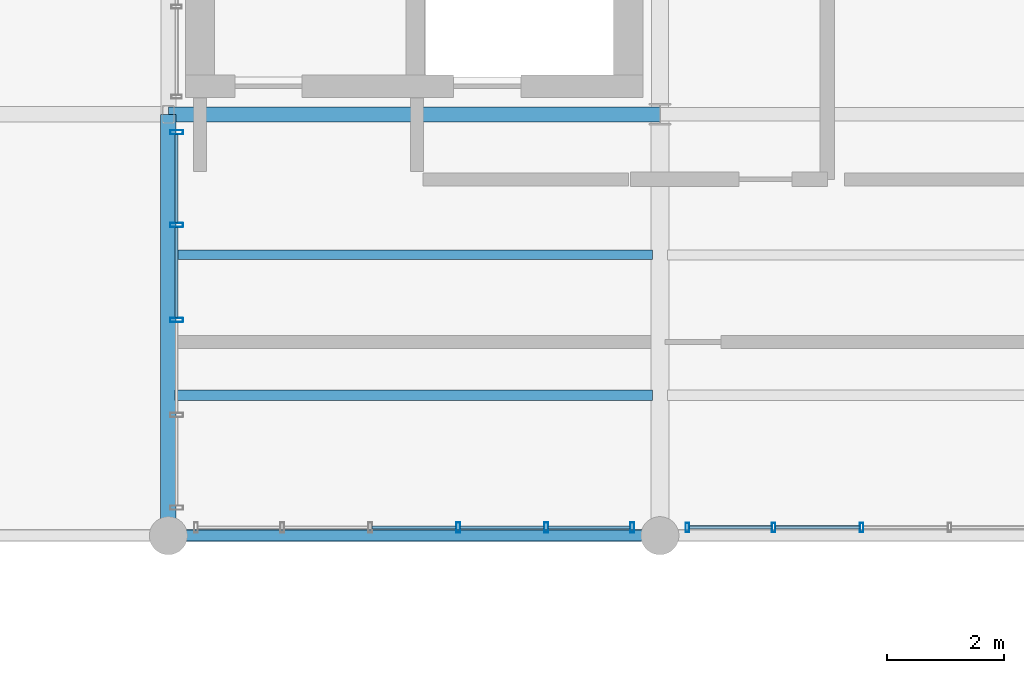
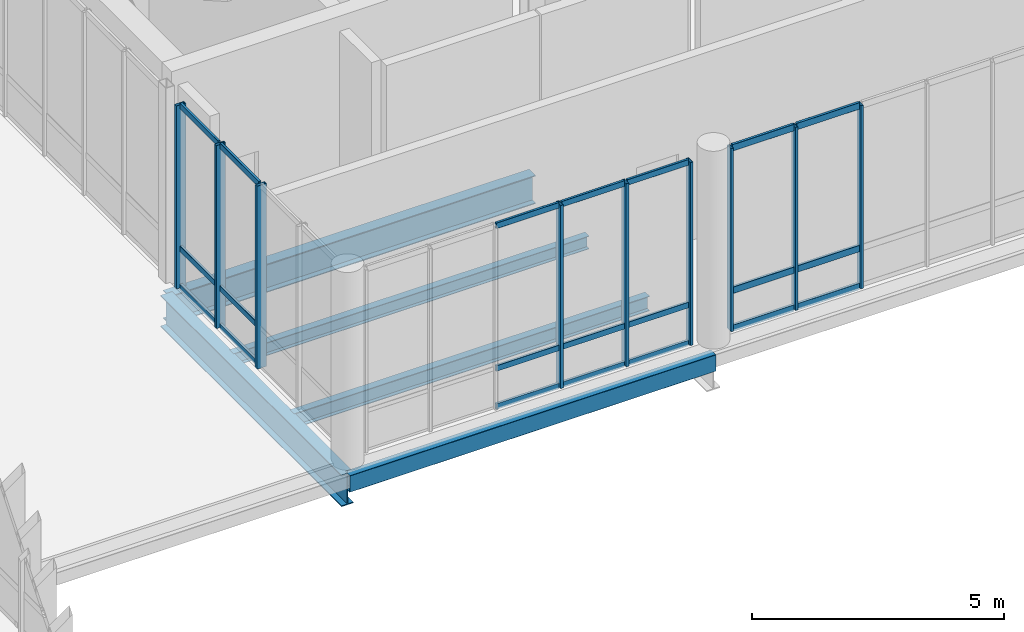
# One storey, part 22 of 81: 30 members, 5 beams, 3 elements without a shape of their own.
"""IFC4 building model written with IfcOpenShell, lengths in metres."""

import ifcopenshell
import ifcopenshell.guid

model = None  # the IFC model being written
_history = None  # IfcOwnerHistory: only IFC2X3 demands one
_inside = {}  # id of a spatial element -> (the spatial element, [elements in it])
_under = {}  # id of a project, library or spatial element -> (it, [spatial elements below it])
_declared = {}  # id of a project -> (the project, [libraries it declares])
_typed = {}  # id of a type object -> (the type object, [elements of that type])
_made_of = {}  # id of a material, layer set ... -> (it, [elements and type objects made of it])


def new_model(schema):
    """Start an empty IFC model of exactly this schema.

    Asked for "IFC4X3", IfcOpenShell would pick the latest addendum, in which some entities
    have other attributes; the version numbers below select the first issue.
    IFC2X3 requires an IfcOwnerHistory on every rooted entity: one is made here for all.
    """
    global model, _history
    if schema == "IFC4X3":
        model = ifcopenshell.file(schema_version=(4, 3, 0, 0))
    else:
        model = ifcopenshell.file(schema=schema)
    _inside.clear()
    _under.clear()
    _declared.clear()
    _typed.clear()
    _made_of.clear()
    _history = None
    if model.schema == "IFC2X3":
        org = make("IfcOrganization", Name="unknown")
        user = make(
            "IfcPersonAndOrganization",
            ThePerson=make("IfcPerson", FamilyName="unknown"),
            TheOrganization=org,
        )
        app = make(
            "IfcApplication",
            ApplicationDeveloper=org,
            Version="unknown",
            ApplicationFullName="unknown",
            ApplicationIdentifier="unknown",
        )
        _history = make(
            "IfcOwnerHistory",
            OwningUser=user,
            OwningApplication=app,
            ChangeAction="ADDED",
            CreationDate=0,
        )
    return model


def make(cls, **values):
    """One entity of the class cls with the attributes given. An attribute that is None is left unset."""
    return model.create_entity(
        cls, **{name: value for name, value in values.items() if value is not None}
    )


def rooted(cls, **values):
    """An entity with a GlobalId (a new one), such as an element, a storey or a relation."""
    return make(cls, GlobalId=ifcopenshell.guid.new(), OwnerHistory=_history, **values)


def si_unit(unit_type, name, prefix=None):
    """IfcSIUnit, for example si_unit("LENGTHUNIT", "METRE", prefix="MILLI")."""
    return make("IfcSIUnit", UnitType=unit_type, Prefix=prefix, Name=name)


def assignment(units):
    """IfcUnitAssignment: the units of a project."""
    return None if units is None else make("IfcUnitAssignment", Units=units)


def point(xyz):
    """IfcCartesianPoint."""
    return None if xyz is None else make("IfcCartesianPoint", Coordinates=xyz)


def direction(xyz):
    """IfcDirection."""
    return None if xyz is None else make("IfcDirection", DirectionRatios=xyz)


def frame(location, z_axis=None, x_axis=None):
    """IfcAxis2Placement3D, a coordinate frame: its origin and axes. An axis left out is left unset."""
    return make(
        "IfcAxis2Placement3D",
        Location=point(location),
        Axis=direction(z_axis),
        RefDirection=direction(x_axis),
    )


def frame_2d(location, x_axis=None):
    """IfcAxis2Placement2D, a coordinate frame in the plane: its origin and x axis."""
    return make(
        "IfcAxis2Placement2D", Location=point(location), RefDirection=direction(x_axis)
    )


def origin_with_axes():
    """The frame at (0, 0, 0) with the z axis (0, 0, 1) and the x axis (1, 0, 0) written out."""
    return frame((0.0, 0.0, 0.0), z_axis=(0.0, 0.0, 1.0), x_axis=(1.0, 0.0, 0.0))


def origin_2d_with_axis():
    """The frame at (0, 0) in the plane with the x axis (1, 0) written out."""
    return frame_2d((0.0, 0.0), x_axis=(1.0, 0.0))


def place(relative_to, where):
    """IfcLocalPlacement: puts the frame where relative to a parent placement (None: the world)."""
    return make(
        "IfcLocalPlacement", PlacementRelTo=relative_to, RelativePlacement=where
    )


def context(
    kind, dimensions, precision=None, world=None, true_north=None, identifier=None
):
    """IfcGeometricRepresentationContext, for example the 3D "Model" context."""
    return make(
        "IfcGeometricRepresentationContext",
        ContextIdentifier=identifier,
        ContextType=kind,
        CoordinateSpaceDimension=dimensions,
        Precision=precision,
        WorldCoordinateSystem=world,
        TrueNorth=true_north,
    )


def subcontext(parent, identifier, kind, view, scale=None):
    """IfcGeometricRepresentationSubContext, for example "Body" below "Model"."""
    return make(
        "IfcGeometricRepresentationSubContext",
        ContextIdentifier=identifier,
        ContextType=kind,
        ParentContext=parent,
        TargetScale=scale,
        TargetView=view,
    )


def project(units=None, contexts=None):
    """IfcProject with its units and contexts."""
    return rooted(
        "IfcProject",
        Name="project",
        RepresentationContexts=contexts,
        UnitsInContext=assignment(units),
    )


def spatial(cls, under=None, at=None, **own):
    """A site, building, storey or space (cls), placed at a placement, below another one or the project."""
    s = rooted(cls, ObjectPlacement=at, **own)
    if under is not None:
        _under.setdefault(under.id(), (under, []))[1].append(s)
    return s


def profile(cls, at=None, kind="AREA", **sizes):
    """A parametric profile (cls). Its sizes go by their IFC names, for example OverallWidth=200.0."""
    return make(cls, ProfileType=kind, Position=at, **sizes)


def hollow_rectangle(**sizes):
    """IfcRectangleHollowProfileDef."""
    return profile("IfcRectangleHollowProfileDef", **sizes)


def i_section(**sizes):
    """IfcIShapeProfileDef."""
    return profile("IfcIShapeProfileDef", **sizes)


def extrude(swept, where, along, depth):
    """IfcExtrudedAreaSolid: the profile swept, set in the frame where, extruded along a direction by depth."""
    return make(
        "IfcExtrudedAreaSolid",
        SweptArea=swept,
        Position=where,
        ExtrudedDirection=direction(along),
        Depth=depth,
    )


def shape(context_of_items, identifier, shape_type, items):
    """IfcShapeRepresentation: the items that make up one representation, for example the "Body"."""
    return make(
        "IfcShapeRepresentation",
        ContextOfItems=context_of_items,
        RepresentationIdentifier=identifier,
        RepresentationType=shape_type,
        Items=items,
    )


def material(Name=None, Category=None):
    """IfcMaterial."""
    return make("IfcMaterial", Name=Name, Category=Category)


def material_profile(
    of_material, cross_section, Name=None, Category=None, Priority=None
):
    """IfcMaterialProfile: a cross section and its material."""
    return make(
        "IfcMaterialProfile",
        Name=Name,
        Material=of_material,
        Profile=cross_section,
        Priority=Priority,
        Category=Category,
    )


def profile_set(profiles, Name=None, composite=None):
    """IfcMaterialProfileSet."""
    return make(
        "IfcMaterialProfileSet",
        Name=Name,
        MaterialProfiles=profiles,
        CompositeProfile=composite,
    )


def made_of(thing, what):
    """Note that an element or type object is made of a material, layer set ...; save() writes the relation."""
    if what is not None:
        _made_of.setdefault(what.id(), (what, []))[1].append(thing)
    return thing


def type_object(cls, material=None, **own):
    """A type object (cls), such as IfcWallType, which elements share."""
    return made_of(rooted(cls, **own), material)


def element(
    cls,
    number,
    at=None,
    inside=None,
    cuts=None,
    type_object=None,
    material=None,
    context=None,
    identifier="Body",
    shape_type=None,
    held_by="IfcProductDefinitionShape",
    body=None,
    shapes=None,
    **own,
):
    """One element of the class cls, such as IfcWall. Its Tag is "e" and its number.

    at: its placement. inside: the storey or other place that contains it. cuts: it is an
    opening in that element (IfcRelVoidsElement). A single representation is given by context,
    identifier, shape_type and body (its items); several are given by shapes. held_by: the class
    of the entity that holds the representations. save() writes the other relations.
    """
    e = rooted(cls, Tag="e%d" % number, ObjectPlacement=at, **own)
    if body is not None:
        shapes = [shape(context, identifier, shape_type, body)]
    if shapes is not None:
        e.Representation = make(held_by, Representations=shapes)
    if inside is not None:
        _inside.setdefault(inside.id(), (inside, []))[1].append(e)
    if cuts is not None:
        rooted(
            "IfcRelVoidsElement", RelatingBuildingElement=cuts, RelatedOpeningElement=e
        )
    if type_object is not None:
        _typed.setdefault(type_object.id(), (type_object, []))[1].append(e)
    return made_of(e, material)


def aggregate(whole, parts):
    """IfcRelAggregates: a whole, such as a stair, and the parts it consists of."""
    return rooted("IfcRelAggregates", RelatingObject=whole, RelatedObjects=parts)


def save(model, path):
    """Write the relations noted so far, then the file.

    IfcRelAggregates (storeys below a building ...), IfcRelContainedInSpatialStructure (elements
    in a storey), IfcRelDefinesByType, IfcRelAssociatesMaterial and IfcRelDeclares: one each for
    every whole, place, type object, material and project.
    """
    for whole, parts in _under.values():
        aggregate(whole, parts)
    for where, things in _inside.values():
        rooted(
            "IfcRelContainedInSpatialStructure",
            RelatedElements=things,
            RelatingStructure=where,
        )
    for kind, things in _typed.values():
        rooted("IfcRelDefinesByType", RelatedObjects=things, RelatingType=kind)
    for what, things in _made_of.values():
        rooted("IfcRelAssociatesMaterial", RelatedObjects=things, RelatingMaterial=what)
    for by, libraries in _declared.values():
        rooted("IfcRelDeclares", RelatingContext=by, RelatedDefinitions=libraries)
    model.write(path)


model = new_model("IFC4")

# Units and contexts
model_context = context("Model", 3, precision=1e-05, world=origin_with_axes(), true_north=direction((0.0, 1.0)))
body_context = subcontext(model_context, "Body", "Model", "MODEL_VIEW")
ifc_project = project(units=[si_unit("LENGTHUNIT", "METRE"), si_unit("AREAUNIT", "SQUARE_METRE"), si_unit("VOLUMEUNIT", "CUBIC_METRE"), si_unit("PLANEANGLEUNIT", "RADIAN"), si_unit("MASSUNIT", "GRAM", prefix="KILO"), si_unit("THERMODYNAMICTEMPERATUREUNIT", "KELVIN")], contexts=[model_context])

# Site, building, storey
site_placement = place(None, origin_with_axes())
site = spatial("IfcSite", under=ifc_project, at=site_placement, CompositionType="ELEMENT")
building_placement = place(site_placement, origin_with_axes())
building = spatial("IfcBuilding", under=site, at=building_placement, Name="Montbau Bow Law Courts", CompositionType="ELEMENT")
storey_placement = place(building_placement, frame((0.0, 0.0, 24.9), z_axis=(0.0, 0.0, 1.0), x_axis=(1.0, 0.0, 0.0)))
storey = spatial("IfcBuildingStorey", under=building, at=storey_placement, Name="L05", CompositionType="ELEMENT", Elevation=24.9)

# Beams
ifc_material_1 = material(Name="Steel CSA G40.21 Grade 350W (350 MPa)", Category="steel")
ifc_material_profile_1 = material_profile(ifc_material_1, i_section(OverallWidth=0.267, OverallDepth=0.766, WebThickness=0.0149, FlangeThickness=0.0236, at=origin_2d_with_axis()), Name="W760X185", Category="Main", Priority=0)
ifc_profile_set_1 = profile_set([ifc_material_profile_1], Name="Steel CSA G40.21 Grade 350W (350 MPa)")
beam_type_1 = type_object("IfcBeamType", Name="B-FLR-03", PredefinedType="BEAM", material=ifc_profile_set_1)
beam_1_placement = place(None, frame((55.2, 39.0, 24.217), z_axis=(0.0, 1.0, 0.0), x_axis=(-1.0, 0.0, 0.0)))
element("IfcBeam", 1, at=beam_1_placement, inside=storey, type_object=beam_type_1, Name="BM-L05-S0980:bm2_0983", PredefinedType="BEAM", context=body_context, shape_type="SweptSolid", body=[
    extrude(i_section(OverallWidth=0.267, OverallDepth=0.766, WebThickness=0.0149, FlangeThickness=0.0236, at=origin_2d_with_axis()), origin_with_axes(), (0.0, 0.0, 1.0), 7.2),
])
ifc_material_profile_2 = material_profile(ifc_material_1, i_section(OverallWidth=0.254, OverallDepth=0.688, WebThickness=0.0131, FlangeThickness=0.0211, at=origin_2d_with_axis()), Name="W690X152", Category="Main", Priority=0)
ifc_profile_set_2 = profile_set([ifc_material_profile_2], Name="Steel CSA G40.21 Grade 350W (350 MPa)")
beam_type_2 = type_object("IfcBeamType", Name="B-FLR-04", PredefinedType="BEAM", material=ifc_profile_set_2)
beam_2_placement = place(None, frame((55.2, 46.2, 24.256), z_axis=(1.0, 0.0, 0.0), x_axis=(0.0, 1.0, 0.0)))
element("IfcBeam", 2, at=beam_2_placement, inside=storey, type_object=beam_type_2, Name="BM-L05-S0963:bm2_0966", PredefinedType="BEAM", context=body_context, shape_type="SweptSolid", body=[
    extrude(i_section(OverallWidth=0.254, OverallDepth=0.688, WebThickness=0.0131, FlangeThickness=0.0211, at=origin_2d_with_axis()), origin_with_axes(), (0.0, 0.0, 1.0), 8.4),
])
ifc_material_profile_3 = material_profile(ifc_material_1, i_section(OverallWidth=0.172, OverallDepth=0.358, WebThickness=0.0079, FlangeThickness=0.0131, at=origin_2d_with_axis()), Name="W360X57", Category="Main", Priority=0)
ifc_profile_set_3 = profile_set([ifc_material_profile_3], Name="Steel CSA G40.21 Grade 350W (350 MPa)")
beam_type_3 = type_object("IfcBeamType", Name="B-JST-03", PredefinedType="JOIST", material=ifc_profile_set_3)
beam_3_placement = place(None, frame((55.309, 41.4, 24.421), z_axis=(1.0, 0.0, 0.0), x_axis=(0.0, 1.0, 0.0)))
element("IfcBeam", 3, at=beam_3_placement, inside=storey, type_object=beam_type_3, Name="JST-L05-S0494:jst2_0494", PredefinedType="JOIST", context=body_context, shape_type="SweptSolid", body=[
    extrude(i_section(OverallWidth=0.172, OverallDepth=0.358, WebThickness=0.0079, FlangeThickness=0.0131, at=origin_2d_with_axis()), origin_with_axes(), (0.0, 0.0, 1.0), 8.162),
])
ifc_material_profile_4 = material_profile(ifc_material_1, i_section(OverallWidth=0.166, OverallDepth=0.313, WebThickness=0.0066, FlangeThickness=0.0112, at=origin_2d_with_axis()), Name="W310X45", Category="Main", Priority=0)
ifc_profile_set_4 = profile_set([ifc_material_profile_4], Name="Steel CSA G40.21 Grade 350W (350 MPa)")
beam_type_4 = type_object("IfcBeamType", Name="B-JST-04", PredefinedType="JOIST", material=ifc_profile_set_4)
beam_4_placement = place(None, frame((55.309, 43.8, 24.444), z_axis=(1.0, 0.0, 0.0), x_axis=(0.0, 1.0, 0.0)))
element("IfcBeam", 4, at=beam_4_placement, inside=storey, type_object=beam_type_4, Name="JST-L05-S0495:jst2_0495", PredefinedType="JOIST", context=body_context, shape_type="SweptSolid", body=[
    extrude(i_section(OverallWidth=0.166, OverallDepth=0.313, WebThickness=0.0066, FlangeThickness=0.0112, at=origin_2d_with_axis()), origin_with_axes(), (0.0, 0.0, 1.0), 8.162),
])
ifc_material_2 = material(Name="Steel CSA G40.21 Grade 350WT (350 MPa)", Category="steel")
ifc_material_profile_5 = material_profile(ifc_material_2, hollow_rectangle(XDim=0.203, YDim=0.406, WallThickness=0.0127, InnerFilletRadius=0.0254, OuterFilletRadius=0.0127, at=origin_2d_with_axis()), Name="HSS406X203X13", Category="Main", Priority=0)
ifc_profile_set_5 = profile_set([ifc_material_profile_5], Name="Steel CSA G40.21 Grade 350WT (350 MPa)")
beam_type_5 = type_object("IfcBeamType", Name="B-SPN-01", PredefinedType="SPANDREL", material=ifc_profile_set_5)
beam_5_placement = place(None, frame((55.2, 39.0, 24.397), z_axis=(1.0, 0.0, 0.0), x_axis=(0.0, 1.0, 0.0)))
element("IfcBeam", 5, at=beam_5_placement, inside=storey, type_object=beam_type_5, Name="SPN-L05-S0957:bm2_0960", PredefinedType="SPANDREL", context=body_context, shape_type="SweptSolid", body=[
    extrude(hollow_rectangle(XDim=0.203, YDim=0.406, WallThickness=0.0127, InnerFilletRadius=0.0254, OuterFilletRadius=0.0127, at=origin_2d_with_axis()), origin_with_axes(), (0.0, 0.0, 1.0), 8.4),
])

# Curtain wall, members
ifc_material_3 = material(Name="Thermally Broken Extruded Aluminium AA 6063-T6", Category="aluminium")
curtain_wall_type = type_object("IfcCurtainWallType", Name="CW-NCK-02", PredefinedType="NOTDEFINED", material=ifc_material_3)
curtain_wall_1_placement = place(None, frame((55.34, 39.44, 24.9), z_axis=(0.0, 0.0, 1.0), x_axis=(1.0, 0.0, 0.0)))
curtain_wall_1 = element("IfcCurtainWall", 6, at=curtain_wall_1_placement, inside=storey, type_object=curtain_wall_type, Name="CW-L05-219:cw_0219", PredefinedType="NOTDEFINED")
ifc_material_profile_6 = material_profile(ifc_material_3, hollow_rectangle(XDim=0.075, YDim=0.22, WallThickness=0.005, InnerFilletRadius=0.01, OuterFilletRadius=0.005, at=origin_2d_with_axis()), Name="CWM-220X75", Category="Main", Priority=0)
ifc_profile_set_6 = profile_set([ifc_material_profile_6], Name="Thermally Broken Extruded Aluminium AA 6063-T6")
member_type_1 = type_object("IfcMemberType", Name="M-MUL-01", PredefinedType="MULLION", material=ifc_profile_set_6)
member_1_placement = place(None, frame((55.34, 42.686, 24.9), z_axis=(0.0, 0.0, 1.0), x_axis=(0.0, 1.0, 0.0)))
member_1 = element("IfcMember", 7, at=member_1_placement, type_object=member_type_1, Name="CW-L05-219-M03:cw_0219_M03", PredefinedType="MULLION", context=body_context, shape_type="SweptSolid", body=[
    extrude(hollow_rectangle(XDim=0.075, YDim=0.22, WallThickness=0.005, InnerFilletRadius=0.01, OuterFilletRadius=0.005, at=origin_2d_with_axis()), origin_with_axes(), (0.0, 0.0, 1.0), 4.44),
])
member_2_placement = place(None, frame((55.34, 44.309, 24.9), z_axis=(0.0, 0.0, 1.0), x_axis=(0.0, 1.0, 0.0)))
member_2 = element("IfcMember", 8, at=member_2_placement, type_object=member_type_1, Name="CW-L05-219-M04:cw_0219_M04", PredefinedType="MULLION", context=body_context, shape_type="SweptSolid", body=[
    extrude(hollow_rectangle(XDim=0.075, YDim=0.22, WallThickness=0.005, InnerFilletRadius=0.01, OuterFilletRadius=0.005, at=origin_2d_with_axis()), origin_with_axes(), (0.0, 0.0, 1.0), 4.44),
])
member_3_placement = place(None, frame((55.34, 45.895, 24.9), z_axis=(0.0, 0.0, 1.0), x_axis=(0.0, 1.0, 0.0)))
member_3 = element("IfcMember", 9, at=member_3_placement, type_object=member_type_1, Name="CW-L05-219-M05:cw_0219_M05", PredefinedType="MULLION", context=body_context, shape_type="SweptSolid", body=[
    extrude(hollow_rectangle(XDim=0.075, YDim=0.22, WallThickness=0.005, InnerFilletRadius=0.01, OuterFilletRadius=0.005, at=origin_2d_with_axis()), origin_with_axes(), (0.0, 0.0, 1.0), 4.44),
])

curtain_wall_2_placement = place(None, frame((55.64, 39.14, 24.9), z_axis=(0.0, 0.0, 1.0), x_axis=(1.0, 0.0, 0.0)))
curtain_wall_2 = element("IfcCurtainWall", 10, at=curtain_wall_2_placement, inside=storey, type_object=curtain_wall_type, Name="CW-L05-211:cw_0211", PredefinedType="NOTDEFINED")
ifc_material_profile_7 = material_profile(ifc_material_3, hollow_rectangle(XDim=0.065, YDim=0.18, WallThickness=0.005, InnerFilletRadius=0.01, OuterFilletRadius=0.005, at=origin_2d_with_axis()), Name="CWM-180X65", Category="Main", Priority=0)
ifc_profile_set_7 = profile_set([ifc_material_profile_7], Name="Thermally Broken Extruded Aluminium AA 6063-T6")
member_type_2 = type_object("IfcMemberType", Name="M-MUL-02", PredefinedType="MULLION", material=ifc_profile_set_7)
member_4_placement = place(None, frame((60.152, 39.14, 24.9), z_axis=(0.0, 0.0, 1.0), x_axis=(1.0, 0.0, 0.0)))
member_4 = element("IfcMember", 11, at=member_4_placement, type_object=member_type_2, Name="CW-L05-211-M04:cw_0211_M04", PredefinedType="MULLION", context=body_context, shape_type="SweptSolid", body=[
    extrude(hollow_rectangle(XDim=0.065, YDim=0.18, WallThickness=0.005, InnerFilletRadius=0.01, OuterFilletRadius=0.005, at=origin_2d_with_axis()), origin_with_axes(), (0.0, 0.0, 1.0), 4.44),
])
member_5_placement = place(None, frame((61.656, 39.14, 24.9), z_axis=(0.0, 0.0, 1.0), x_axis=(1.0, 0.0, 0.0)))
member_5 = element("IfcMember", 12, at=member_5_placement, type_object=member_type_2, Name="CW-L05-211-M05:cw_0211_M05", PredefinedType="MULLION", context=body_context, shape_type="SweptSolid", body=[
    extrude(hollow_rectangle(XDim=0.065, YDim=0.18, WallThickness=0.005, InnerFilletRadius=0.01, OuterFilletRadius=0.005, at=origin_2d_with_axis()), origin_with_axes(), (0.0, 0.0, 1.0), 4.44),
])
member_6_placement = place(None, frame((63.127, 39.14, 24.9), z_axis=(0.0, 0.0, 1.0), x_axis=(1.0, 0.0, 0.0)))
member_6 = element("IfcMember", 13, at=member_6_placement, type_object=member_type_2, Name="CW-L05-211-M06:cw_0211_M06", PredefinedType="MULLION", context=body_context, shape_type="SweptSolid", body=[
    extrude(hollow_rectangle(XDim=0.065, YDim=0.18, WallThickness=0.005, InnerFilletRadius=0.01, OuterFilletRadius=0.005, at=origin_2d_with_axis()), origin_with_axes(), (0.0, 0.0, 1.0), 4.44),
])

curtain_wall_3_placement = place(None, frame((64.04, 39.14, 24.9), z_axis=(0.0, 0.0, 1.0), x_axis=(1.0, 0.0, 0.0)))
curtain_wall_3 = element("IfcCurtainWall", 14, at=curtain_wall_3_placement, inside=storey, type_object=curtain_wall_type, Name="CW-L05-212:cw_0212", PredefinedType="NOTDEFINED")
ifc_material_profile_8 = material_profile(ifc_material_3, hollow_rectangle(XDim=0.06, YDim=0.16, WallThickness=0.004, InnerFilletRadius=0.008, OuterFilletRadius=0.004, at=origin_2d_with_axis()), Name="CWM-160X60", Category="Main", Priority=0)
ifc_profile_set_8 = profile_set([ifc_material_profile_8], Name="Thermally Broken Extruded Aluminium AA 6063-T6")
member_type_3 = type_object("IfcMemberType", Name="M-MUL-03", PredefinedType="MULLION", material=ifc_profile_set_8)
member_7_placement = place(None, frame((64.07, 39.14, 24.9), z_axis=(0.0, 0.0, 1.0), x_axis=(1.0, 0.0, 0.0)))
member_7 = element("IfcMember", 15, at=member_7_placement, type_object=member_type_3, Name="CW-L05-212-M01:cw_0212_M01", PredefinedType="MULLION", context=body_context, shape_type="SweptSolid", body=[
    extrude(hollow_rectangle(XDim=0.06, YDim=0.16, WallThickness=0.004, InnerFilletRadius=0.008, OuterFilletRadius=0.004, at=origin_2d_with_axis()), origin_with_axes(), (0.0, 0.0, 1.0), 4.44),
])
member_8_placement = place(None, frame((65.544, 39.14, 24.9), z_axis=(0.0, 0.0, 1.0), x_axis=(1.0, 0.0, 0.0)))
member_8 = element("IfcMember", 16, at=member_8_placement, type_object=member_type_3, Name="CW-L05-212-M02:cw_0212_M02", PredefinedType="MULLION", context=body_context, shape_type="SweptSolid", body=[
    extrude(hollow_rectangle(XDim=0.06, YDim=0.16, WallThickness=0.004, InnerFilletRadius=0.008, OuterFilletRadius=0.004, at=origin_2d_with_axis()), origin_with_axes(), (0.0, 0.0, 1.0), 4.44),
])
member_9_placement = place(None, frame((67.048, 39.14, 24.9), z_axis=(0.0, 0.0, 1.0), x_axis=(1.0, 0.0, 0.0)))
member_9 = element("IfcMember", 17, at=member_9_placement, type_object=member_type_3, Name="CW-L05-212-M03:cw_0212_M03", PredefinedType="MULLION", context=body_context, shape_type="SweptSolid", body=[
    extrude(hollow_rectangle(XDim=0.06, YDim=0.16, WallThickness=0.004, InnerFilletRadius=0.008, OuterFilletRadius=0.004, at=origin_2d_with_axis()), origin_with_axes(), (0.0, 0.0, 1.0), 4.44),
])
ifc_material_profile_9 = material_profile(ifc_material_3, hollow_rectangle(XDim=0.06, YDim=0.16, WallThickness=0.004, InnerFilletRadius=0.008, OuterFilletRadius=0.004, at=origin_2d_with_axis()), Name="CWT-160X60", Category="Main", Priority=0)
ifc_profile_set_9 = profile_set([ifc_material_profile_9], Name="Thermally Broken Extruded Aluminium AA 6063-T6")
member_type_4 = type_object("IfcMemberType", Name="M-TRN-01", PredefinedType="USERDEFINED", material=ifc_profile_set_9)
member_10_placement = place(None, frame((64.102, 39.14, 24.93), z_axis=(1.0, 0.0, 0.0), x_axis=(0.0, 1.0, 0.0)))
member_10 = element("IfcMember", 18, at=member_10_placement, type_object=member_type_4, Name="CW-L05-212-T01-1:cw_0212_T01_1", ObjectType="TRANSOM", PredefinedType="USERDEFINED", context=body_context, shape_type="SweptSolid", body=[
    extrude(hollow_rectangle(XDim=0.06, YDim=0.16, WallThickness=0.004, InnerFilletRadius=0.008, OuterFilletRadius=0.004, at=origin_2d_with_axis()), origin_with_axes(), (0.0, 0.0, 1.0), 1.41),
])
member_11_placement = place(None, frame((64.102, 39.14, 25.85), z_axis=(1.0, 0.0, 0.0), x_axis=(0.0, 1.0, 0.0)))
member_11 = element("IfcMember", 19, at=member_11_placement, type_object=member_type_4, Name="CW-L05-212-T01-2:cw_0212_T01_2", ObjectType="TRANSOM", PredefinedType="USERDEFINED", context=body_context, shape_type="SweptSolid", body=[
    extrude(hollow_rectangle(XDim=0.06, YDim=0.16, WallThickness=0.004, InnerFilletRadius=0.008, OuterFilletRadius=0.004, at=origin_2d_with_axis()), origin_with_axes(), (0.0, 0.0, 1.0), 1.41),
])
member_12_placement = place(None, frame((64.102, 39.14, 29.31), z_axis=(1.0, 0.0, 0.0), x_axis=(0.0, 1.0, 0.0)))
member_12 = element("IfcMember", 20, at=member_12_placement, type_object=member_type_4, Name="CW-L05-212-T01-3:cw_0212_T01_3", ObjectType="TRANSOM", PredefinedType="USERDEFINED", context=body_context, shape_type="SweptSolid", body=[
    extrude(hollow_rectangle(XDim=0.06, YDim=0.16, WallThickness=0.004, InnerFilletRadius=0.008, OuterFilletRadius=0.004, at=origin_2d_with_axis()), origin_with_axes(), (0.0, 0.0, 1.0), 1.41),
])
member_13_placement = place(None, frame((65.576, 39.14, 24.93), z_axis=(1.0, 0.0, 0.0), x_axis=(0.0, 1.0, 0.0)))
member_13 = element("IfcMember", 21, at=member_13_placement, type_object=member_type_4, Name="CW-L05-212-T02-1:cw_0212_T02_1", ObjectType="TRANSOM", PredefinedType="USERDEFINED", context=body_context, shape_type="SweptSolid", body=[
    extrude(hollow_rectangle(XDim=0.06, YDim=0.16, WallThickness=0.004, InnerFilletRadius=0.008, OuterFilletRadius=0.004, at=origin_2d_with_axis()), origin_with_axes(), (0.0, 0.0, 1.0), 1.44),
])
member_14_placement = place(None, frame((65.576, 39.14, 25.85), z_axis=(1.0, 0.0, 0.0), x_axis=(0.0, 1.0, 0.0)))
member_14 = element("IfcMember", 22, at=member_14_placement, type_object=member_type_4, Name="CW-L05-212-T02-2:cw_0212_T02_2", ObjectType="TRANSOM", PredefinedType="USERDEFINED", context=body_context, shape_type="SweptSolid", body=[
    extrude(hollow_rectangle(XDim=0.06, YDim=0.16, WallThickness=0.004, InnerFilletRadius=0.008, OuterFilletRadius=0.004, at=origin_2d_with_axis()), origin_with_axes(), (0.0, 0.0, 1.0), 1.44),
])
member_15_placement = place(None, frame((65.576, 39.14, 29.31), z_axis=(1.0, 0.0, 0.0), x_axis=(0.0, 1.0, 0.0)))
member_15 = element("IfcMember", 23, at=member_15_placement, type_object=member_type_4, Name="CW-L05-212-T02-3:cw_0212_T02_3", ObjectType="TRANSOM", PredefinedType="USERDEFINED", context=body_context, shape_type="SweptSolid", body=[
    extrude(hollow_rectangle(XDim=0.06, YDim=0.16, WallThickness=0.004, InnerFilletRadius=0.008, OuterFilletRadius=0.004, at=origin_2d_with_axis()), origin_with_axes(), (0.0, 0.0, 1.0), 1.44),
])
aggregate(curtain_wall_3, [member_7, member_8, member_9, member_10, member_11, member_12, member_13, member_14, member_15])

# Member
ifc_material_profile_10 = material_profile(ifc_material_3, hollow_rectangle(XDim=0.055, YDim=0.14, WallThickness=0.004, InnerFilletRadius=0.008, OuterFilletRadius=0.004, at=origin_2d_with_axis()), Name="CWT-140X55", Category="Main", Priority=0)
ifc_profile_set_10 = profile_set([ifc_material_profile_10], Name="Thermally Broken Extruded Aluminium AA 6063-T6")
member_type_5 = type_object("IfcMemberType", Name="M-TRN-02", PredefinedType="USERDEFINED", material=ifc_profile_set_10)
member_16_placement = place(None, frame((58.682, 39.14, 24.927), z_axis=(1.0, 0.0, 0.0), x_axis=(0.0, 1.0, 0.0)))
member_16 = element("IfcMember", 24, at=member_16_placement, type_object=member_type_5, Name="CW-L05-211-T03-1:cw_0211_T03_1", ObjectType="TRANSOM", PredefinedType="USERDEFINED", context=body_context, shape_type="SweptSolid", body=[
    extrude(hollow_rectangle(XDim=0.055, YDim=0.14, WallThickness=0.004, InnerFilletRadius=0.008, OuterFilletRadius=0.004, at=origin_2d_with_axis()), origin_with_axes(), (0.0, 0.0, 1.0), 1.436),
])

member_17_placement = place(None, frame((58.682, 39.14, 25.85), z_axis=(1.0, 0.0, 0.0), x_axis=(0.0, 1.0, 0.0)))
member_17 = element("IfcMember", 25, at=member_17_placement, type_object=member_type_5, Name="CW-L05-211-T03-2:cw_0211_T03_2", ObjectType="TRANSOM", PredefinedType="USERDEFINED", context=body_context, shape_type="SweptSolid", body=[
    extrude(hollow_rectangle(XDim=0.055, YDim=0.14, WallThickness=0.004, InnerFilletRadius=0.008, OuterFilletRadius=0.004, at=origin_2d_with_axis()), origin_with_axes(), (0.0, 0.0, 1.0), 1.436),
])

member_18_placement = place(None, frame((58.682, 39.14, 29.312), z_axis=(1.0, 0.0, 0.0), x_axis=(0.0, 1.0, 0.0)))
member_18 = element("IfcMember", 26, at=member_18_placement, type_object=member_type_5, Name="CW-L05-211-T03-3:cw_0211_T03_3", ObjectType="TRANSOM", PredefinedType="USERDEFINED", context=body_context, shape_type="SweptSolid", body=[
    extrude(hollow_rectangle(XDim=0.055, YDim=0.14, WallThickness=0.004, InnerFilletRadius=0.008, OuterFilletRadius=0.004, at=origin_2d_with_axis()), origin_with_axes(), (0.0, 0.0, 1.0), 1.436),
])

member_19_placement = place(None, frame((60.186, 39.14, 24.927), z_axis=(1.0, 0.0, 0.0), x_axis=(0.0, 1.0, 0.0)))
member_19 = element("IfcMember", 27, at=member_19_placement, type_object=member_type_5, Name="CW-L05-211-T04-1:cw_0211_T04_1", ObjectType="TRANSOM", PredefinedType="USERDEFINED", context=body_context, shape_type="SweptSolid", body=[
    extrude(hollow_rectangle(XDim=0.055, YDim=0.14, WallThickness=0.004, InnerFilletRadius=0.008, OuterFilletRadius=0.004, at=origin_2d_with_axis()), origin_with_axes(), (0.0, 0.0, 1.0), 1.436),
])

member_20_placement = place(None, frame((60.186, 39.14, 25.85), z_axis=(1.0, 0.0, 0.0), x_axis=(0.0, 1.0, 0.0)))
member_20 = element("IfcMember", 28, at=member_20_placement, type_object=member_type_5, Name="CW-L05-211-T04-2:cw_0211_T04_2", ObjectType="TRANSOM", PredefinedType="USERDEFINED", context=body_context, shape_type="SweptSolid", body=[
    extrude(hollow_rectangle(XDim=0.055, YDim=0.14, WallThickness=0.004, InnerFilletRadius=0.008, OuterFilletRadius=0.004, at=origin_2d_with_axis()), origin_with_axes(), (0.0, 0.0, 1.0), 1.436),
])

member_21_placement = place(None, frame((60.186, 39.14, 29.312), z_axis=(1.0, 0.0, 0.0), x_axis=(0.0, 1.0, 0.0)))
member_21 = element("IfcMember", 29, at=member_21_placement, type_object=member_type_5, Name="CW-L05-211-T04-3:cw_0211_T04_3", ObjectType="TRANSOM", PredefinedType="USERDEFINED", context=body_context, shape_type="SweptSolid", body=[
    extrude(hollow_rectangle(XDim=0.055, YDim=0.14, WallThickness=0.004, InnerFilletRadius=0.008, OuterFilletRadius=0.004, at=origin_2d_with_axis()), origin_with_axes(), (0.0, 0.0, 1.0), 1.436),
])

member_22_placement = place(None, frame((61.69, 39.14, 24.927), z_axis=(1.0, 0.0, 0.0), x_axis=(0.0, 1.0, 0.0)))
member_22 = element("IfcMember", 30, at=member_22_placement, type_object=member_type_5, Name="CW-L05-211-T05-1:cw_0211_T05_1", ObjectType="TRANSOM", PredefinedType="USERDEFINED", context=body_context, shape_type="SweptSolid", body=[
    extrude(hollow_rectangle(XDim=0.055, YDim=0.14, WallThickness=0.004, InnerFilletRadius=0.008, OuterFilletRadius=0.004, at=origin_2d_with_axis()), origin_with_axes(), (0.0, 0.0, 1.0), 1.403),
])

member_23_placement = place(None, frame((61.69, 39.14, 25.85), z_axis=(1.0, 0.0, 0.0), x_axis=(0.0, 1.0, 0.0)))
member_23 = element("IfcMember", 31, at=member_23_placement, type_object=member_type_5, Name="CW-L05-211-T05-2:cw_0211_T05_2", ObjectType="TRANSOM", PredefinedType="USERDEFINED", context=body_context, shape_type="SweptSolid", body=[
    extrude(hollow_rectangle(XDim=0.055, YDim=0.14, WallThickness=0.004, InnerFilletRadius=0.008, OuterFilletRadius=0.004, at=origin_2d_with_axis()), origin_with_axes(), (0.0, 0.0, 1.0), 1.403),
])

member_24_placement = place(None, frame((61.69, 39.14, 29.312), z_axis=(1.0, 0.0, 0.0), x_axis=(0.0, 1.0, 0.0)))
member_24 = element("IfcMember", 32, at=member_24_placement, type_object=member_type_5, Name="CW-L05-211-T05-3:cw_0211_T05_3", ObjectType="TRANSOM", PredefinedType="USERDEFINED", context=body_context, shape_type="SweptSolid", body=[
    extrude(hollow_rectangle(XDim=0.055, YDim=0.14, WallThickness=0.004, InnerFilletRadius=0.008, OuterFilletRadius=0.004, at=origin_2d_with_axis()), origin_with_axes(), (0.0, 0.0, 1.0), 1.403),
])

aggregate(curtain_wall_2, [member_4, member_5, member_6, member_16, member_17, member_18, member_19, member_20, member_21, member_22, member_23, member_24])

member_25_placement = place(None, frame((55.34, 42.725, 24.927), z_axis=(0.0, 1.0, 0.0), x_axis=(-1.0, 0.0, 0.0)))
member_25 = element("IfcMember", 33, at=member_25_placement, type_object=member_type_5, Name="CW-L05-219-T03-1:cw_0219_T03_1", ObjectType="TRANSOM", PredefinedType="USERDEFINED", context=body_context, shape_type="SweptSolid", body=[
    extrude(hollow_rectangle(XDim=0.055, YDim=0.14, WallThickness=0.004, InnerFilletRadius=0.008, OuterFilletRadius=0.004, at=origin_2d_with_axis()), origin_with_axes(), (0.0, 0.0, 1.0), 1.545),
])

member_26_placement = place(None, frame((55.34, 42.725, 25.85), z_axis=(0.0, 1.0, 0.0), x_axis=(-1.0, 0.0, 0.0)))
member_26 = element("IfcMember", 34, at=member_26_placement, type_object=member_type_5, Name="CW-L05-219-T03-2:cw_0219_T03_2", ObjectType="TRANSOM", PredefinedType="USERDEFINED", context=body_context, shape_type="SweptSolid", body=[
    extrude(hollow_rectangle(XDim=0.055, YDim=0.14, WallThickness=0.004, InnerFilletRadius=0.008, OuterFilletRadius=0.004, at=origin_2d_with_axis()), origin_with_axes(), (0.0, 0.0, 1.0), 1.545),
])

member_27_placement = place(None, frame((55.34, 42.725, 29.312), z_axis=(0.0, 1.0, 0.0), x_axis=(-1.0, 0.0, 0.0)))
member_27 = element("IfcMember", 35, at=member_27_placement, type_object=member_type_5, Name="CW-L05-219-T03-3:cw_0219_T03_3", ObjectType="TRANSOM", PredefinedType="USERDEFINED", context=body_context, shape_type="SweptSolid", body=[
    extrude(hollow_rectangle(XDim=0.055, YDim=0.14, WallThickness=0.004, InnerFilletRadius=0.008, OuterFilletRadius=0.004, at=origin_2d_with_axis()), origin_with_axes(), (0.0, 0.0, 1.0), 1.545),
])

member_28_placement = place(None, frame((55.34, 44.348, 24.927), z_axis=(0.0, 1.0, 0.0), x_axis=(-1.0, 0.0, 0.0)))
member_28 = element("IfcMember", 36, at=member_28_placement, type_object=member_type_5, Name="CW-L05-219-T04-1:cw_0219_T04_1", ObjectType="TRANSOM", PredefinedType="USERDEFINED", context=body_context, shape_type="SweptSolid", body=[
    extrude(hollow_rectangle(XDim=0.055, YDim=0.14, WallThickness=0.004, InnerFilletRadius=0.008, OuterFilletRadius=0.004, at=origin_2d_with_axis()), origin_with_axes(), (0.0, 0.0, 1.0), 1.508),
])

member_29_placement = place(None, frame((55.34, 44.348, 25.85), z_axis=(0.0, 1.0, 0.0), x_axis=(-1.0, 0.0, 0.0)))
member_29 = element("IfcMember", 37, at=member_29_placement, type_object=member_type_5, Name="CW-L05-219-T04-2:cw_0219_T04_2", ObjectType="TRANSOM", PredefinedType="USERDEFINED", context=body_context, shape_type="SweptSolid", body=[
    extrude(hollow_rectangle(XDim=0.055, YDim=0.14, WallThickness=0.004, InnerFilletRadius=0.008, OuterFilletRadius=0.004, at=origin_2d_with_axis()), origin_with_axes(), (0.0, 0.0, 1.0), 1.508),
])

member_30_placement = place(None, frame((55.34, 44.348, 29.312), z_axis=(0.0, 1.0, 0.0), x_axis=(-1.0, 0.0, 0.0)))
member_30 = element("IfcMember", 38, at=member_30_placement, type_object=member_type_5, Name="CW-L05-219-T04-3:cw_0219_T04_3", ObjectType="TRANSOM", PredefinedType="USERDEFINED", context=body_context, shape_type="SweptSolid", body=[
    extrude(hollow_rectangle(XDim=0.055, YDim=0.14, WallThickness=0.004, InnerFilletRadius=0.008, OuterFilletRadius=0.004, at=origin_2d_with_axis()), origin_with_axes(), (0.0, 0.0, 1.0), 1.508),
])

aggregate(curtain_wall_1, [member_1, member_2, member_3, member_25, member_26, member_27, member_28, member_29, member_30])

save(model, "model.ifc")
